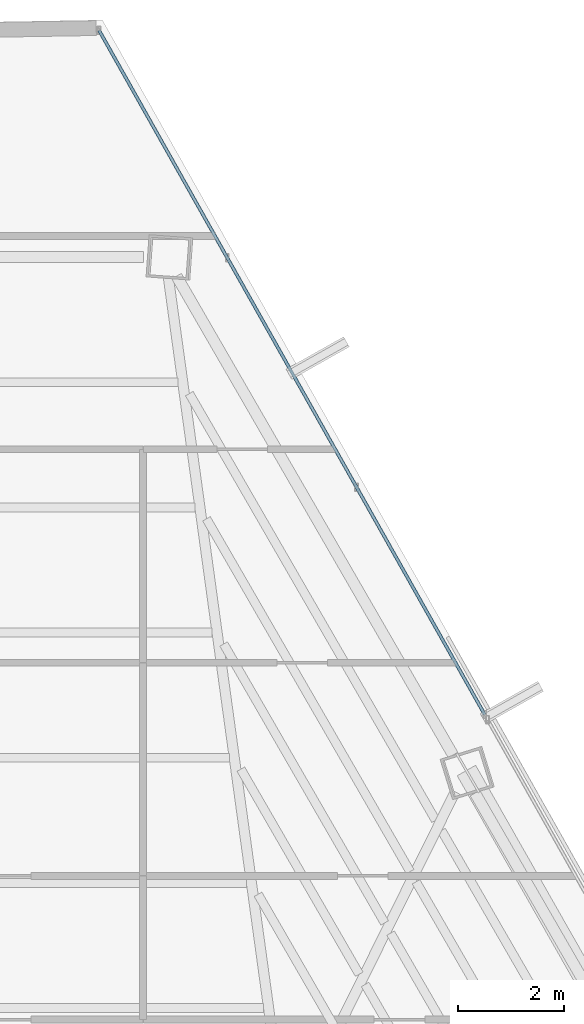
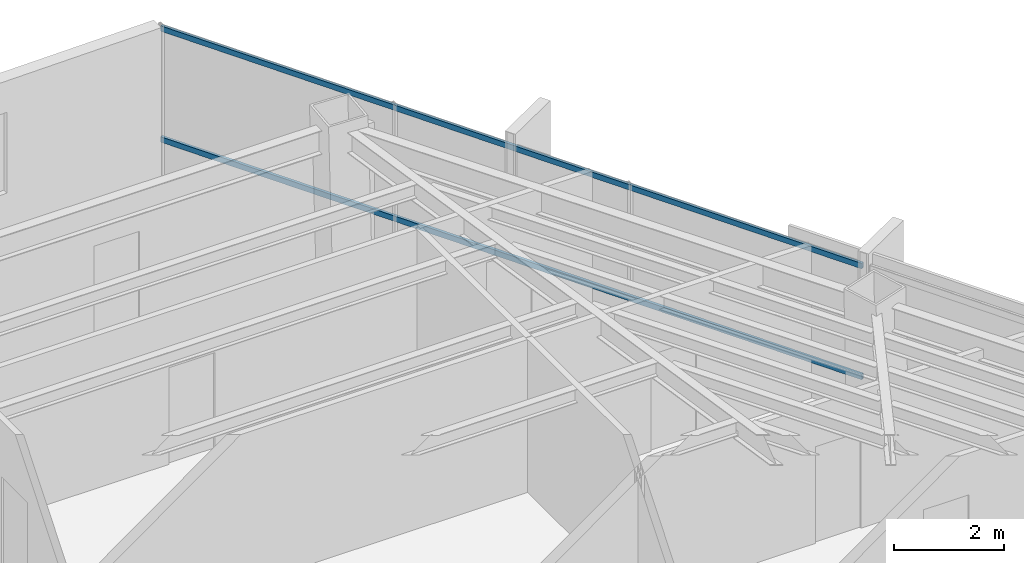
# One storey, part 31 of 42: 2 members, 1 element without a shape of its own.
"""IFC4 building model written with IfcOpenShell, lengths in metres."""

from ifc_helpers import new_model, si_unit, direction, frame, origin, origin_2d, place, context, subcontext, project, spatial, hollow_rectangle, extrude, source, transform, mapped, material, material_profile, profile_set, type_object, type_shapes, element, aggregate, save


model = new_model("IFC4")

# Units and contexts
model_context = context("Model", 3, precision=1e-05, world=origin(), true_north=direction((0.0, 1.0)))
body_context = subcontext(model_context, "Body", "Model", "MODEL_VIEW")
ifc_project = project(units=[si_unit("LENGTHUNIT", "METRE"), si_unit("AREAUNIT", "SQUARE_METRE"), si_unit("VOLUMEUNIT", "CUBIC_METRE"), si_unit("PLANEANGLEUNIT", "RADIAN"), si_unit("MASSUNIT", "GRAM", prefix="KILO")], contexts=[model_context])

# Site, building, storey
site_placement = place(None, origin())
site = spatial("IfcSite", under=ifc_project, at=site_placement, CompositionType="ELEMENT")
building_placement = place(site_placement, origin())
building = spatial("IfcBuilding", under=site, at=building_placement, Name="Caelisora Broadcast Tower", CompositionType="ELEMENT")
storey_placement = place(building_placement, frame((0.0, 0.0, 195.0)))
storey = spatial("IfcBuildingStorey", under=building, at=storey_placement, Name="L51", CompositionType="ELEMENT", Elevation=195.0)

# Curtain wall, members
ifc_material_1 = material(Name="Unitised Aluminium and Low-E Glass Curtain Wall", Category="glass")
curtain_wall_type = type_object("IfcCurtainWallType", Name="CW-Z4", PredefinedType="NOTDEFINED", material=ifc_material_1)
curtain_wall_placement = place(storey_placement, origin())
curtain_wall = element("IfcCurtainWall", 1, at=curtain_wall_placement, inside=storey, type_object=curtain_wall_type, Name="L51 curtain wall CW-Z4", PredefinedType="NOTDEFINED")
ifc_material_2 = material(Name="Aluminium 6063-T6 Anodised Terracotta Bronze", Category="aluminium")
ifc_material_profile = material_profile(ifc_material_2, hollow_rectangle(XDim=0.06005859375, YDim=0.1201171875, WallThickness=0.0029296875, at=origin_2d()), Name="Aluminium 6063-T6 Anodised Terracotta Bronze")
ifc_profile_set = profile_set([ifc_material_profile], Name="Aluminium 6063-T6 Anodised Terracotta Bronze")
member_type = type_object("IfcMemberType", Name="CWT-03", PredefinedType="USERDEFINED", material=ifc_profile_set)
shared_shape = source(origin(), body_context, "Body", "SweptSolid", [
    extrude(hollow_rectangle(XDim=0.06005859375, YDim=0.1201171875, WallThickness=0.0029296875, at=origin_2d()), origin(), (0.0, 0.0, 1.0), 14.85498046875),
])
type_shapes(member_type, [shared_shape])
member_1_placement = place(storey_placement, frame((41.967529296875, 50.8623046875, 0.85009765625), z_axis=(0.491024175205, -0.871145946076, 0.0), x_axis=(0.871145946076, 0.491024175205, 0.0)))
member_1 = element("IfcMember", 2, at=member_1_placement, type_object=member_type, Name="L51-CW-B01 transom #1", ObjectType="TRANSOM", PredefinedType="USERDEFINED", context=body_context, shape_type="MappedRepresentation", body=[
    mapped(shared_shape, transform((0.0, 0.0, 0.0), scale=1.0)),
])
member_2_placement = place(storey_placement, frame((41.967529296875, 50.8623046875, 3.320068359375), z_axis=(0.491024175205, -0.871145946076, 0.0), x_axis=(0.871145946076, 0.491024175205, 0.0)))
member_2 = element("IfcMember", 3, at=member_2_placement, type_object=member_type, Name="L51-CW-B01 transom #2", ObjectType="TRANSOM", PredefinedType="USERDEFINED", context=body_context, shape_type="MappedRepresentation", body=[
    mapped(shared_shape, transform((0.0, 0.0, 0.0), scale=1.0)),
])
aggregate(curtain_wall, [member_1, member_2])

save(model, "model.ifc")
